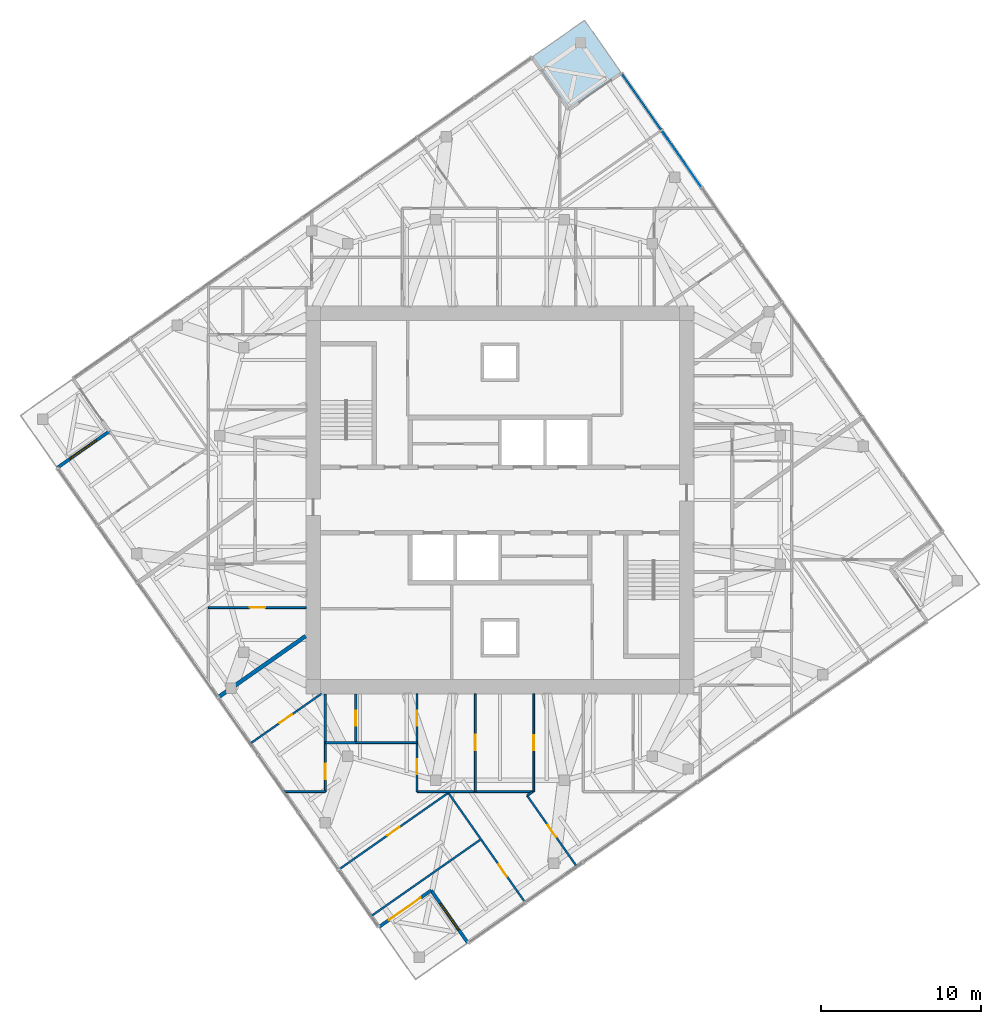
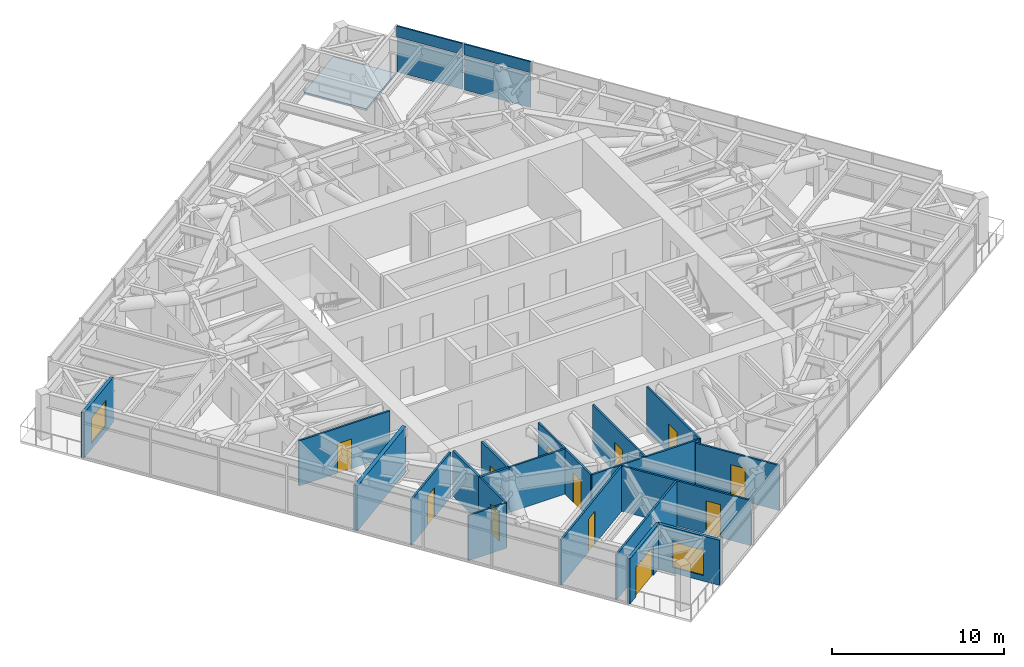
# One storey, part 9 of 15: 21 walls, 12 doors, 4 plates, 2 windows, 1 slab, 14 openings, 1 element without a shape of its own.
"""IFC4 building model written with IfcOpenShell, lengths in metres."""

from ifc_helpers import new_model, si_unit, direction, frame, frame_2d, origin, origin_2d, place, context, subcontext, project, spatial, polyline, rectangle, outline, extrude, material, layer, layer_set, type_object, element, fill, aggregate, save


model = new_model("IFC4")

# Units and contexts
model_context = context("Model", 3, precision=1e-05, world=origin(), true_north=direction((0.0, 1.0)))
body_context = subcontext(model_context, "Body", "Model", "MODEL_VIEW")
ifc_project = project(units=[si_unit("LENGTHUNIT", "METRE"), si_unit("AREAUNIT", "SQUARE_METRE"), si_unit("VOLUMEUNIT", "CUBIC_METRE"), si_unit("PLANEANGLEUNIT", "RADIAN"), si_unit("MASSUNIT", "GRAM", prefix="KILO")], contexts=[model_context])

# Site, building, storey
site_placement = place(None, origin())
site = spatial("IfcSite", under=ifc_project, at=site_placement, CompositionType="ELEMENT")
building_placement = place(site_placement, origin())
building = spatial("IfcBuilding", under=site, at=building_placement, Name="Torsade Residences", CompositionType="ELEMENT")
storey_placement = place(building_placement, frame((0.0, 0.0, 264.199951171875)))
storey = spatial("IfcBuildingStorey", under=building, at=storey_placement, Name="L73", CompositionType="ELEMENT", Elevation=264.199951171875)

# Curtain wall, plates
ifc_material_1 = material(Name="Aluminium and glass", Category="aluminium")
curtain_wall_type = type_object("IfcCurtainWallType", Name="FRITTED GLASS CURTAIN WALL HIGH ZONE", PredefinedType="NOTDEFINED", material=ifc_material_1)
curtain_wall_placement = place(storey_placement, origin())
curtain_wall = element("IfcCurtainWall", 1, at=curtain_wall_placement, inside=storey, type_object=curtain_wall_type, Name="Curtain wall L73 face 4", PredefinedType="NOTDEFINED")
ifc_material_2 = material(Name="Laminated glass", Category="glass")
ifc_layer_1 = layer(ifc_material_2, 0.031982421875)
ifc_layer_set_1 = layer_set([ifc_layer_1], Name="Laminated glass")
plate_type_1 = type_object("IfcPlateType", Name="FRITTED GLASS PANEL", PredefinedType="CURTAIN_PANEL", material=ifc_layer_set_1)
plate_1_placement = place(storey_placement, frame((51.33837890625, 51.291259765625, 0.1201171875), z_axis=(0.0, 0.0, 1.0), x_axis=(-0.573576457682, 0.819152029353, 0.0)))
plate_1 = element("IfcPlate", 2, at=plate_1_placement, type_object=plate_type_1, Name="Panel 7", PredefinedType="CURTAIN_PANEL", context=body_context, shape_type="SweptSolid", body=[
    extrude(rectangle(XDim=4.27490234375, YDim=0.031982421875, at=origin_2d()), origin(), (0.0, 0.0, 1.0), 2.3798828125),
])
plate_2_placement = place(storey_placement, frame((48.84326171875, 54.854736328125, 0.1201171875), z_axis=(0.0, 0.0, 1.0), x_axis=(-0.573576457682, 0.819152029353, 0.0)))
plate_2 = element("IfcPlate", 3, at=plate_2_placement, type_object=plate_type_1, Name="Panel 8", PredefinedType="CURTAIN_PANEL", context=body_context, shape_type="SweptSolid", body=[
    extrude(rectangle(XDim=4.22509765625, YDim=0.031982421875, at=origin_2d()), origin(), (0.0, 0.0, 1.0), 2.3798828125),
])
ifc_material_3 = material(Name="Aluminium composite spandrel panel", Category="aluminium")
ifc_layer_2 = layer(ifc_material_3, 0.10009765625)
ifc_layer_set_2 = layer_set([ifc_layer_2], Name="Aluminium composite spandrel panel")
plate_type_2 = type_object("IfcPlateType", Name="OPAQUE SPANDREL PANEL", PredefinedType="CURTAIN_PANEL", material=ifc_layer_set_2)
plate_3_placement = place(storey_placement, frame((51.33837890625, 51.291259765625, 2.6201171875), z_axis=(0.0, 0.0, 1.0), x_axis=(-0.573576457682, 0.819152029353, 0.0)))
plate_3 = element("IfcPlate", 4, at=plate_3_placement, type_object=plate_type_2, Name="Spandrel panel 7", PredefinedType="CURTAIN_PANEL", context=body_context, shape_type="SweptSolid", body=[
    extrude(rectangle(XDim=4.27490234375, YDim=0.10009765625, at=origin_2d()), origin(), (0.0, 0.0, 1.0), 0.780029296875),
])
plate_4_placement = place(storey_placement, frame((48.84326171875, 54.854736328125, 2.6201171875), z_axis=(0.0, 0.0, 1.0), x_axis=(-0.573576457682, 0.819152029353, 0.0)))
plate_4 = element("IfcPlate", 5, at=plate_4_placement, type_object=plate_type_2, Name="Spandrel panel 8", PredefinedType="CURTAIN_PANEL", context=body_context, shape_type="SweptSolid", body=[
    extrude(rectangle(XDim=4.22509765625, YDim=0.10009765625, at=origin_2d()), origin(), (0.0, 0.0, 1.0), 0.780029296875),
])
aggregate(curtain_wall, [plate_1, plate_3, plate_2, plate_4])

# Slab
ifc_material_4 = material(Name="Concrete 40 MPa", Category="concrete")
ifc_layer_3 = layer(ifc_material_4, 0.14990234375)
ifc_layer_set_3 = layer_set([ifc_layer_3], Name="Concrete 40 MPa")
slab_type = type_object("IfcSlabType", Name="TERRACE SLAB 150", PredefinedType="FLOOR", material=ifc_layer_set_3)
slab_placement = place(storey_placement, frame((0.0, 0.0, -0.14990234375)))
element("IfcSlab", 6, at=slab_placement, inside=storey, type_object=slab_type, Name="Corner terrace slab NE L73", PredefinedType="FLOOR", context=body_context, shape_type="SweptSolid", body=[
    extrude(outline(polyline([(44.297607421875, 54.372802734375), (47.57421875, 56.6669921875), (45.27978515625, 59.943603515625), (42.003173828125, 57.6494140625), (44.297607421875, 54.372802734375)])), origin(), (0.0, 0.0, 1.0), 0.14990234375),
])

# Wall, opening, door
ifc_material_5 = material(Name="Plasterboard on steel stud", Category="steel")
ifc_layer_4 = layer(ifc_material_5, 0.1201171875)
ifc_layer_set_4 = layer_set([ifc_layer_4], Name="Plasterboard on steel stud")
wall_type_1 = type_object("IfcWallType", Name="PARTITION 120", PredefinedType="PARTITIONING", material=ifc_layer_set_4)
wall_1_placement = place(storey_placement, frame((27.89990234375, 23.28564453125, 0.0), z_axis=(0.0, 0.0, 1.0), x_axis=(-1.0, 0.0, 0.0)))
wall_1 = element("IfcWall", 7, at=wall_1_placement, inside=storey, type_object=wall_type_1, Name="Partition L73", PredefinedType="PARTITIONING", context=body_context, shape_type="SweptSolid", body=[
    extrude(rectangle(XDim=6.099853515625, YDim=0.1201171875, at=frame_2d((3.0498046875, 0.0))), origin(), (0.0, 0.0, 1.0), 3.199951171875),
])
opening_1_placement = place(wall_1_placement, frame((2.570068359375, 0.0, 0.0)))
opening_1 = element("IfcOpeningElement", 8, at=opening_1_placement, cuts=wall_1, Name="Opening D05", PredefinedType="OPENING", context=body_context, shape_type="SweptSolid", body=[
    extrude(rectangle(XDim=0.9599609375, YDim=2.10009765625, at=frame_2d((0.47998046875, 1.050048828125))), frame((0.0, 0.070068359375, 0.0), z_axis=(0.0, -1.0, 0.0), x_axis=(1.0, 0.0, 0.0)), (0.0, 0.0, 1.0), 0.14013671875),
])
ifc_material_6 = material(Name="Hollow-core timber door in a steel cavity frame", Category="steel")
door_type_1 = type_object("IfcDoorType", Name="BATHROOM CAVITY SLIDING DOOR 960", OperationType="SLIDING_TO_LEFT", PredefinedType="DOOR", material=ifc_material_6)
door_1_placement = place(opening_1_placement, origin())
door_1 = element("IfcDoor", 9, at=door_1_placement, inside=storey, type_object=door_type_1, Name="Door Bathroom to Ensuite", OperationType="SLIDING_TO_LEFT", OverallHeight=2.10009765625, OverallWidth=0.9599609375, PredefinedType="DOOR", context=body_context, shape_type="SweptSolid", body=[
    extrude(rectangle(XDim=0.9599609375, YDim=2.10009765625, at=frame_2d((0.47998046875, 1.050048828125))), frame((0.0, 0.02490234375, 0.0), z_axis=(0.0, -1.0, 0.0), x_axis=(1.0, 0.0, 0.0)), (0.0, 0.0, 1.0), 0.050048828125),
])
fill(opening_1, door_1)

wall_2_placement = place(storey_placement, frame((24.43701171875, 14.811767578125, 0.0), z_axis=(0.0, 0.0, 1.0), x_axis=(0.819157353031, 0.573568854608, 0.0)))
wall_2 = element("IfcWall", 10, at=wall_2_placement, inside=storey, type_object=wall_type_1, Name="Partition L73", PredefinedType="PARTITIONING", context=body_context, shape_type="SweptSolid", body=[
    extrude(rectangle(XDim=5.384033203125, YDim=0.1201171875, at=frame_2d((2.69189453125, 0.0))), origin(), (0.0, 0.0, 1.0), 3.199951171875),
])
opening_2_placement = place(wall_2_placement, frame((2.19189453125, 0.0, 0.0)))
opening_2 = element("IfcOpeningElement", 11, at=opening_2_placement, cuts=wall_2, Name="Opening D05", PredefinedType="OPENING", context=body_context, shape_type="SweptSolid", body=[
    extrude(rectangle(XDim=0.9599609375, YDim=2.10009765625, at=frame_2d((0.47998046875, 1.050048828125))), frame((0.0, 0.070068359375, 0.0), z_axis=(0.0, -1.0, 0.0), x_axis=(1.0, 0.0, 0.0)), (0.0, 0.0, 1.0), 0.14013671875),
])
door_2_placement = place(opening_2_placement, origin())
door_2 = element("IfcDoor", 12, at=door_2_placement, inside=storey, type_object=door_type_1, Name="Door Bathroom to Dressing room", OperationType="SLIDING_TO_LEFT", OverallHeight=2.10009765625, OverallWidth=0.9599609375, PredefinedType="DOOR", context=body_context, shape_type="SweptSolid", body=[
    extrude(rectangle(XDim=0.9599609375, YDim=2.10009765625, at=frame_2d((0.47998046875, 1.050048828125))), frame((0.0, 0.02490234375, 0.0), z_axis=(0.0, -1.0, 0.0), x_axis=(1.0, 0.0, 0.0)), (0.0, 0.0, 1.0), 0.050048828125),
])
fill(opening_2, door_2)

wall_3_placement = place(storey_placement, frame((29.093505859375, 14.89990234375, 0.0), z_axis=(0.0, 0.0, 1.0), x_axis=(0.0, -1.0, 0.0)))
wall_3 = element("IfcWall", 13, at=wall_3_placement, inside=storey, type_object=wall_type_1, Name="Partition L73", PredefinedType="PARTITIONING", context=body_context, shape_type="SweptSolid", body=[
    extrude(rectangle(XDim=3.099853515625, YDim=0.1201171875, at=frame_2d((1.5498046875, 0.0))), origin(), (0.0, 0.0, 1.0), 3.199951171875),
])
opening_3_placement = place(wall_3_placement, frame((1.3701171875, 0.0, 0.0)))
opening_3 = element("IfcOpeningElement", 14, at=opening_3_placement, cuts=wall_3, Name="Opening D05", PredefinedType="OPENING", context=body_context, shape_type="SweptSolid", body=[
    extrude(rectangle(XDim=0.9599609375, YDim=2.10009765625, at=frame_2d((0.47998046875, 1.050048828125))), frame((0.0, 0.070068359375, 0.0), z_axis=(0.0, -1.0, 0.0), x_axis=(1.0, 0.0, 0.0)), (0.0, 0.0, 1.0), 0.14013671875),
])
door_3_placement = place(opening_3_placement, origin())
door_3 = element("IfcDoor", 15, at=door_3_placement, inside=storey, type_object=door_type_1, Name="Door Family room to Bathroom", OperationType="SLIDING_TO_LEFT", OverallHeight=2.10009765625, OverallWidth=0.9599609375, PredefinedType="DOOR", context=body_context, shape_type="SweptSolid", body=[
    extrude(rectangle(XDim=0.9599609375, YDim=2.10009765625, at=frame_2d((0.47998046875, 1.050048828125))), frame((0.0, 0.02490234375, 0.0), z_axis=(0.0, -1.0, 0.0), x_axis=(1.0, 0.0, 0.0)), (0.0, 0.0, 1.0), 0.050048828125),
])
fill(opening_3, door_3)

# Wall
wall_4_placement = place(storey_placement, frame((29.093505859375, 11.800048828125, 0.0), z_axis=(0.0, 0.0, 1.0), x_axis=(-1.0, 0.0, 0.0)))
element("IfcWall", 16, at=wall_4_placement, inside=storey, type_object=wall_type_1, Name="Partition L73", PredefinedType="PARTITIONING", context=body_context, shape_type="SweptSolid", body=[
    extrude(rectangle(XDim=2.547607421875, YDim=0.1201171875, at=frame_2d((1.27392578125, 0.0))), origin(), (0.0, 0.0, 1.0), 3.199951171875),
])

# Wall, openings, doors
wall_5_placement = place(storey_placement, frame((34.8193359375, 17.89990234375, 0.0), z_axis=(0.0, 0.0, 1.0), x_axis=(0.0, -1.0, 0.0)))
wall_5 = element("IfcWall", 17, at=wall_5_placement, inside=storey, type_object=wall_type_1, Name="Partition L73", PredefinedType="PARTITIONING", context=body_context, shape_type="SweptSolid", body=[
    extrude(rectangle(XDim=6.099853515625, YDim=0.1201171875, at=frame_2d((3.0498046875, 0.0))), origin(), (0.0, 0.0, 1.0), 3.199951171875),
])
opening_4_placement = place(wall_5_placement, frame((4.090087890625, 0.0, 0.0)))
opening_4 = element("IfcOpeningElement", 18, at=opening_4_placement, cuts=wall_5, Name="Opening D02L", PredefinedType="OPENING", context=body_context, shape_type="SweptSolid", body=[
    extrude(rectangle(XDim=0.919921875, YDim=2.10009765625, at=frame_2d((0.4599609375, 1.050048828125))), frame((0.0, 0.070068359375, 0.0), z_axis=(0.0, -1.0, 0.0), x_axis=(1.0, 0.0, 0.0)), (0.0, 0.0, 1.0), 0.14013671875),
])
opening_5_placement = place(wall_5_placement, frame((1.044921875, 0.0, 0.0)))
opening_5 = element("IfcOpeningElement", 19, at=opening_5_placement, cuts=wall_5, Name="Opening D05", PredefinedType="OPENING", context=body_context, shape_type="SweptSolid", body=[
    extrude(rectangle(XDim=0.9599609375, YDim=2.10009765625, at=frame_2d((0.47998046875, 1.050048828125))), frame((0.0, 0.070068359375, 0.0), z_axis=(0.0, -1.0, 0.0), x_axis=(1.0, 0.0, 0.0)), (0.0, 0.0, 1.0), 0.14013671875),
])
door_4_placement = place(opening_5_placement, origin())
door_4 = element("IfcDoor", 20, at=door_4_placement, inside=storey, type_object=door_type_1, Name="Door Dressing room 2 to WC", OperationType="SLIDING_TO_LEFT", OverallHeight=2.10009765625, OverallWidth=0.9599609375, PredefinedType="DOOR", context=body_context, shape_type="SweptSolid", body=[
    extrude(rectangle(XDim=0.9599609375, YDim=2.10009765625, at=frame_2d((0.47998046875, 1.050048828125))), frame((0.0, 0.02490234375, 0.0), z_axis=(0.0, -1.0, 0.0), x_axis=(1.0, 0.0, 0.0)), (0.0, 0.0, 1.0), 0.050048828125),
])
fill(opening_5, door_4)
ifc_material_7 = material(Name="Hollow-core timber door", Category="wood")
door_type_2 = type_object("IfcDoorType", Name="INTERNAL DOOR 920x2100", OperationType="NOTDEFINED", PredefinedType="DOOR", material=ifc_material_7)
door_5_placement = place(opening_4_placement, origin())
door_5 = element("IfcDoor", 21, at=door_5_placement, inside=storey, type_object=door_type_2, Name="Door Dressing room 2 to Family room", OperationType="SINGLE_SWING_RIGHT", OverallHeight=2.10009765625, OverallWidth=0.919921875, PredefinedType="DOOR", context=body_context, shape_type="SweptSolid", body=[
    extrude(rectangle(XDim=0.919921875, YDim=2.10009765625, at=frame_2d((0.4599609375, 1.050048828125))), frame((0.0, 0.02490234375, 0.0), z_axis=(0.0, -1.0, 0.0), x_axis=(1.0, 0.0, 0.0)), (0.0, 0.0, 1.0), 0.050048828125),
])
fill(opening_4, door_5)

# Wall
wall_6_placement = place(storey_placement, frame((34.8193359375, 14.85009765625, 0.0), z_axis=(0.0, 0.0, 1.0), x_axis=(-1.0, 0.0, 0.0)))
element("IfcWall", 22, at=wall_6_placement, inside=storey, type_object=wall_type_1, Name="Partition L73", PredefinedType="PARTITIONING", context=body_context, shape_type="SweptSolid", body=[
    extrude(rectangle(XDim=3.817138671875, YDim=0.1201171875, at=frame_2d((1.90869140625, 0.0))), origin(), (0.0, 0.0, 1.0), 3.199951171875),
])

# Wall, opening, door
wall_7_placement = place(storey_placement, frame((38.463623046875, 11.800048828125, 0.0), z_axis=(0.0, 0.0, 1.0), x_axis=(0.0, 1.0, 0.0)))
wall_7 = element("IfcWall", 23, at=wall_7_placement, inside=storey, type_object=wall_type_1, Name="Partition L73", PredefinedType="PARTITIONING", context=body_context, shape_type="SweptSolid", body=[
    extrude(rectangle(XDim=6.099853515625, YDim=0.1201171875, at=frame_2d((3.0498046875, 0.0))), origin(), (0.0, 0.0, 1.0), 3.199951171875),
])
opening_6_placement = place(wall_7_placement, frame((2.570068359375, 0.0, 0.0)))
opening_6 = element("IfcOpeningElement", 24, at=opening_6_placement, cuts=wall_7, Name="Opening D05", PredefinedType="OPENING", context=body_context, shape_type="SweptSolid", body=[
    extrude(rectangle(XDim=0.9599609375, YDim=2.10009765625, at=frame_2d((0.47998046875, 1.050048828125))), frame((0.0, 0.070068359375, 0.0), z_axis=(0.0, -1.0, 0.0), x_axis=(1.0, 0.0, 0.0)), (0.0, 0.0, 1.0), 0.14013671875),
])
door_6_placement = place(opening_6_placement, origin())
door_6 = element("IfcDoor", 25, at=door_6_placement, inside=storey, type_object=door_type_1, Name="Door Ensuite to Dressing room 2", OperationType="SLIDING_TO_LEFT", OverallHeight=2.10009765625, OverallWidth=0.9599609375, PredefinedType="DOOR", context=body_context, shape_type="SweptSolid", body=[
    extrude(rectangle(XDim=0.9599609375, YDim=2.10009765625, at=frame_2d((0.47998046875, 1.050048828125))), frame((0.0, 0.02490234375, 0.0), z_axis=(0.0, -1.0, 0.0), x_axis=(1.0, 0.0, 0.0)), (0.0, 0.0, 1.0), 0.050048828125),
])
fill(opening_6, door_6)

# Wall
wall_8_placement = place(storey_placement, frame((42.06201171875, 11.800048828125, 0.0), z_axis=(0.0, 0.0, 1.0), x_axis=(-1.0, 0.0, 0.0)))
element("IfcWall", 26, at=wall_8_placement, inside=storey, type_object=wall_type_1, Name="Partition L73", PredefinedType="PARTITIONING", context=body_context, shape_type="SweptSolid", body=[
    extrude(rectangle(XDim=7.24267578125, YDim=0.1201171875, at=frame_2d((3.621337890625, 0.0))), origin(), (0.0, 0.0, 1.0), 3.199951171875),
])

# Wall, opening, door
wall_9_placement = place(storey_placement, frame((42.107666015625, 17.89990234375, 0.0), z_axis=(0.0, 0.0, 1.0), x_axis=(0.0, -1.0, 0.0)))
wall_9 = element("IfcWall", 27, at=wall_9_placement, inside=storey, type_object=wall_type_1, Name="Partition L73", PredefinedType="PARTITIONING", context=body_context, shape_type="SweptSolid", body=[
    extrude(rectangle(XDim=6.099853515625, YDim=0.1201171875, at=frame_2d((3.0498046875, 0.0))), origin(), (0.0, 0.0, 1.0), 3.199951171875),
])
opening_7_placement = place(wall_9_placement, frame((2.570068359375, 0.0, 0.0)))
opening_7 = element("IfcOpeningElement", 28, at=opening_7_placement, cuts=wall_9, Name="Opening D05", PredefinedType="OPENING", context=body_context, shape_type="SweptSolid", body=[
    extrude(rectangle(XDim=0.9599609375, YDim=2.10009765625, at=frame_2d((0.47998046875, 1.050048828125))), frame((0.0, 0.070068359375, 0.0), z_axis=(0.0, -1.0, 0.0), x_axis=(1.0, 0.0, 0.0)), (0.0, 0.0, 1.0), 0.14013671875),
])
door_7_placement = place(opening_7_placement, origin())
door_7 = element("IfcDoor", 29, at=door_7_placement, inside=storey, type_object=door_type_1, Name="Door Media room to Ensuite", OperationType="SLIDING_TO_LEFT", OverallHeight=2.10009765625, OverallWidth=0.9599609375, PredefinedType="DOOR", context=body_context, shape_type="SweptSolid", body=[
    extrude(rectangle(XDim=0.9599609375, YDim=2.10009765625, at=frame_2d((0.47998046875, 1.050048828125))), frame((0.0, 0.02490234375, 0.0), z_axis=(0.0, -1.0, 0.0), x_axis=(1.0, 0.0, 0.0)), (0.0, 0.0, 1.0), 0.050048828125),
])
fill(opening_7, door_7)

wall_10_placement = place(storey_placement, frame((41.5576171875, 4.892822265625, 0.0), z_axis=(0.0, 0.0, 1.0), x_axis=(-0.573576357466, 0.819152099525, 0.0)))
wall_10 = element("IfcWall", 30, at=wall_10_placement, inside=storey, type_object=wall_type_1, Name="Partition L73", PredefinedType="PARTITIONING", context=body_context, shape_type="SweptSolid", body=[
    extrude(rectangle(XDim=8.3349609375, YDim=0.1201171875, at=frame_2d((4.16748046875, 0.0))), origin(), (0.0, 0.0, 1.0), 3.199951171875),
])
opening_8_placement = place(wall_10_placement, frame((1.94189453125, 0.0, 0.0)))
opening_8 = element("IfcOpeningElement", 31, at=opening_8_placement, cuts=wall_10, Name="Opening D02", PredefinedType="OPENING", context=body_context, shape_type="SweptSolid", body=[
    extrude(rectangle(XDim=0.919921875, YDim=2.340087890625, at=frame_2d((0.4599609375, 1.169921875))), frame((0.0, 0.070068359375, 0.0), z_axis=(0.0, -1.0, 0.0), x_axis=(1.0, 0.0, 0.0)), (0.0, 0.0, 1.0), 0.14013671875),
])
ifc_material_8 = material(Name="Hollow-core timber door", Category="wood")
door_type_3 = type_object("IfcDoorType", Name="INTERNAL DOOR 920x2340", OperationType="NOTDEFINED", PredefinedType="DOOR", material=ifc_material_8)
door_8_placement = place(opening_8_placement, origin())
door_8 = element("IfcDoor", 32, at=door_8_placement, inside=storey, type_object=door_type_3, Name="Door Bedroom 1 to Study 2", OperationType="SINGLE_SWING_RIGHT", OverallHeight=2.340087890625, OverallWidth=0.919921875, PredefinedType="DOOR", context=body_context, shape_type="SweptSolid", body=[
    extrude(rectangle(XDim=0.919921875, YDim=2.340087890625, at=frame_2d((0.4599609375, 1.169921875))), frame((0.0, 0.02490234375, 0.0), z_axis=(0.0, -1.0, 0.0), x_axis=(1.0, 0.0, 0.0)), (0.0, 0.0, 1.0), 0.050048828125),
])
fill(opening_8, door_8)

# Wall
wall_11_placement = place(storey_placement, frame((42.011962890625, 11.764892578125, 0.0), z_axis=(0.0, 0.0, 1.0), x_axis=(-0.819379381292, -0.573251628444, 0.0)))
element("IfcWall", 33, at=wall_11_placement, inside=storey, type_object=wall_type_1, Name="Partition L73", PredefinedType="PARTITIONING", context=body_context, shape_type="SweptSolid", body=[
    extrude(rectangle(XDim=0.388916015625, YDim=0.1201171875, at=frame_2d((0.1943359375, 0.0))), origin(), (0.0, 0.0, 1.0), 3.199951171875),
])

# Wall, opening, door
wall_12_placement = place(storey_placement, frame((41.693359375, 11.5419921875, 0.0), z_axis=(0.0, 0.0, 1.0), x_axis=(0.573560001964, -0.819163551525, 0.0)))
wall_12 = element("IfcWall", 34, at=wall_12_placement, inside=storey, type_object=wall_type_1, Name="Partition L73", PredefinedType="PARTITIONING", context=body_context, shape_type="SweptSolid", body=[
    extrude(rectangle(XDim=5.368896484375, YDim=0.1201171875, at=frame_2d((2.6845703125, 0.0))), origin(), (0.0, 0.0, 1.0), 3.199951171875),
])
opening_9_placement = place(wall_12_placement, frame((2.244384765625, 0.0, 0.0)))
opening_9 = element("IfcOpeningElement", 35, at=opening_9_placement, cuts=wall_12, Name="Opening D02", PredefinedType="OPENING", context=body_context, shape_type="SweptSolid", body=[
    extrude(rectangle(XDim=0.919921875, YDim=2.340087890625, at=frame_2d((0.4599609375, 1.169921875))), frame((0.0, 0.070068359375, 0.0), z_axis=(0.0, -1.0, 0.0), x_axis=(1.0, 0.0, 0.0)), (0.0, 0.0, 1.0), 0.14013671875),
])
door_9_placement = place(opening_9_placement, origin())
door_9 = element("IfcDoor", 36, at=door_9_placement, inside=storey, type_object=door_type_3, Name="Door Media room to Bedroom 1", OperationType="SINGLE_SWING_LEFT", OverallHeight=2.340087890625, OverallWidth=0.919921875, PredefinedType="DOOR", context=body_context, shape_type="SweptSolid", body=[
    extrude(rectangle(XDim=0.919921875, YDim=2.340087890625, at=frame_2d((0.4599609375, 1.169921875))), frame((0.0, 0.02490234375, 0.0), z_axis=(0.0, -1.0, 0.0), x_axis=(1.0, 0.0, 0.0)), (0.0, 0.0, 1.0), 0.050048828125),
])
fill(opening_9, door_9)

# Wall
wall_13_placement = place(storey_placement, frame((38.807861328125, 8.81982421875, 0.0), z_axis=(0.0, 0.0, 1.0), x_axis=(-0.819152099525, -0.573576357466, 0.0)))
element("IfcWall", 37, at=wall_13_placement, inside=storey, type_object=wall_type_1, Name="Partition L73", PredefinedType="PARTITIONING", context=body_context, shape_type="SweptSolid", body=[
    extrude(rectangle(XDim=8.3349609375, YDim=0.1201171875, at=frame_2d((4.16748046875, 0.0))), origin(), (0.0, 0.0, 1.0), 3.199951171875),
])

# Wall, opening, door
wall_14_placement = place(storey_placement, frame((29.94921875, 6.939697265625, 0.0), z_axis=(0.0, 0.0, 1.0), x_axis=(0.819152099525, 0.573576357466, 0.0)))
wall_14 = element("IfcWall", 38, at=wall_14_placement, inside=storey, type_object=wall_type_1, Name="Partition L73", PredefinedType="PARTITIONING", context=body_context, shape_type="SweptSolid", body=[
    extrude(rectangle(XDim=8.3349609375, YDim=0.1201171875, at=frame_2d((4.16748046875, 0.0))), origin(), (0.0, 0.0, 1.0), 3.199951171875),
])
opening_10_placement = place(wall_14_placement, frame((3.6875, 0.0, 0.0)))
opening_10 = element("IfcOpeningElement", 39, at=opening_10_placement, cuts=wall_14, Name="Opening D02", PredefinedType="OPENING", context=body_context, shape_type="SweptSolid", body=[
    extrude(rectangle(XDim=0.919921875, YDim=2.340087890625, at=frame_2d((0.4599609375, 1.169921875))), frame((0.0, 0.070068359375, 0.0), z_axis=(0.0, -1.0, 0.0), x_axis=(1.0, 0.0, 0.0)), (0.0, 0.0, 1.0), 0.14013671875),
])
door_10_placement = place(opening_10_placement, origin())
door_10 = element("IfcDoor", 40, at=door_10_placement, inside=storey, type_object=door_type_3, Name="Door Family room to Bedroom 2", OperationType="SINGLE_SWING_RIGHT", OverallHeight=2.340087890625, OverallWidth=0.919921875, PredefinedType="DOOR", context=body_context, shape_type="SweptSolid", body=[
    extrude(rectangle(XDim=0.919921875, YDim=2.340087890625, at=frame_2d((0.4599609375, 1.169921875))), frame((0.0, 0.02490234375, 0.0), z_axis=(0.0, -1.0, 0.0), x_axis=(1.0, 0.0, 0.0)), (0.0, 0.0, 1.0), 0.050048828125),
])
fill(opening_10, door_10)

# Walls
ifc_material_9 = material(Name="Masonry-lined stud party wall", Category="masonry")
ifc_layer_5 = layer(ifc_material_9, 0.25)
ifc_layer_set_5 = layer_set([ifc_layer_5], Name="Masonry-lined stud party wall")
wall_type_2 = type_object("IfcWallType", Name="PARTY WALL 250", PredefinedType="PARTITIONING", material=ifc_layer_set_5)
wall_15_placement = place(storey_placement, frame((22.38818359375, 17.668212890625, 0.0), z_axis=(0.0, 0.0, 1.0), x_axis=(0.819161528122, 0.573562891796, 0.0)))
element("IfcWall", 41, at=wall_15_placement, inside=storey, type_object=wall_type_2, Name="Party wall L73", PredefinedType="PARTITIONING", context=body_context, shape_type="SweptSolid", body=[
    extrude(rectangle(XDim=6.68115234375, YDim=0.25, at=frame_2d((3.340576171875, 0.0))), origin(), (0.0, 0.0, 1.0), 3.199951171875),
])
ifc_material_10 = material(Name="Reinforced blockwork", Category="masonry")
ifc_layer_6 = layer(ifc_material_10, 0.14990234375)
ifc_layer_set_6 = layer_set([ifc_layer_6], Name="Reinforced blockwork")
wall_type_3 = type_object("IfcWallType", Name="SERVICE ROOM WALL 150", PredefinedType="SOLIDWALL", material=ifc_layer_set_6)
wall_16_placement = place(storey_placement, frame((29.093505859375, 17.89990234375, 0.0), z_axis=(0.0, 0.0, 1.0), x_axis=(0.0, -1.0, 0.0)))
element("IfcWall", 42, at=wall_16_placement, inside=storey, type_object=wall_type_3, Name="Service room wall L73", PredefinedType="SOLIDWALL", context=body_context, shape_type="SweptSolid", body=[
    extrude(rectangle(XDim=3.0, YDim=0.14990234375, at=frame_2d((1.5, 0.0))), origin(), (0.0, 0.0, 1.0), 3.199951171875),
])

# Wall, opening, door
wall_17_placement = place(storey_placement, frame((31.002197265625, 14.85009765625, 0.0), z_axis=(0.0, 0.0, 1.0), x_axis=(0.0, 1.0, 0.0)))
wall_17 = element("IfcWall", 43, at=wall_17_placement, inside=storey, type_object=wall_type_3, Name="Service room wall L73", PredefinedType="SOLIDWALL", context=body_context, shape_type="SweptSolid", body=[
    extrude(rectangle(XDim=3.0498046875, YDim=0.14990234375, at=frame_2d((1.52490234375, 0.0))), origin(), (0.0, 0.0, 1.0), 3.199951171875),
])
opening_11_placement = place(wall_17_placement, frame((1.044921875, 0.0, 0.0)))
opening_11 = element("IfcOpeningElement", 44, at=opening_11_placement, cuts=wall_17, Name="Opening D05", PredefinedType="OPENING", context=body_context, shape_type="SweptSolid", body=[
    extrude(rectangle(XDim=0.9599609375, YDim=2.10009765625, at=frame_2d((0.47998046875, 1.050048828125))), frame((0.0, 0.0849609375, 0.0), z_axis=(0.0, -1.0, 0.0), x_axis=(1.0, 0.0, 0.0)), (0.0, 0.0, 1.0), 0.169921875),
])
door_11_placement = place(opening_11_placement, origin())
door_11 = element("IfcDoor", 45, at=door_11_placement, inside=storey, type_object=door_type_1, Name="Door WC to Linen store", OperationType="SLIDING_TO_LEFT", OverallHeight=2.10009765625, OverallWidth=0.9599609375, PredefinedType="DOOR", context=body_context, shape_type="SweptSolid", body=[
    extrude(rectangle(XDim=0.9599609375, YDim=2.10009765625, at=frame_2d((0.47998046875, 1.050048828125))), frame((0.0, 0.02490234375, 0.0), z_axis=(0.0, -1.0, 0.0), x_axis=(1.0, 0.0, 0.0)), (0.0, 0.0, 1.0), 0.050048828125),
])
fill(opening_11, door_11)

# Wall
wall_18_placement = place(storey_placement, frame((29.093505859375, 14.85009765625, 0.0), z_axis=(0.0, 0.0, 1.0), x_axis=(1.0, 0.0, 0.0)))
element("IfcWall", 46, at=wall_18_placement, inside=storey, type_object=wall_type_3, Name="Service room wall L73", PredefinedType="SOLIDWALL", context=body_context, shape_type="SweptSolid", body=[
    extrude(rectangle(XDim=1.90869140625, YDim=0.14990234375, at=frame_2d((0.954345703125, 0.0))), origin(), (0.0, 0.0, 1.0), 3.199951171875),
])

# Wall, opening, window
ifc_material_11 = material(Name="Stone-faced precast concrete 40 MPa panel", Category="masonry")
ifc_layer_7 = layer(ifc_material_11, 0.199951171875)
ifc_layer_set_7 = layer_set([ifc_layer_7], Name="Stone-faced precast concrete 40 MPa panel")
wall_type_4 = type_object("IfcWallType", Name="TERRACE WALL 200", PredefinedType="SOLIDWALL", material=ifc_layer_set_7)
wall_19_placement = place(storey_placement, frame((15.627197265625, 34.297607421875, 0.0), z_axis=(0.0, 0.0, 1.0), x_axis=(-0.819137286189, -0.573597512525, 0.0)))
wall_19 = element("IfcWall", 47, at=wall_19_placement, inside=storey, type_object=wall_type_4, Name="Terrace wall L73 9", PredefinedType="SOLIDWALL", context=body_context, shape_type="SweptSolid", body=[
    extrude(rectangle(XDim=4.0, YDim=0.199951171875, at=frame_2d((2.0, 0.0))), origin(), (0.0, 0.0, 1.0), 3.199951171875),
])
opening_12_placement = place(wall_19_placement, frame((1.0, 0.0, 0.39990234375)))
opening_12 = element("IfcOpeningElement", 48, at=opening_12_placement, cuts=wall_19, Name="Opening W1B", PredefinedType="OPENING", context=body_context, shape_type="SweptSolid", body=[
    extrude(rectangle(XDim=2.0, YDim=1.800048828125, at=frame_2d((1.0, 0.89990234375))), frame((0.0, 0.10986328125, 0.0), z_axis=(0.0, -1.0, 0.0), x_axis=(1.0, 0.0, 0.0)), (0.0, 0.0, 1.0), 0.219970703125),
])
ifc_material_12 = material(Name="Aluminium-framed glass window", Category="aluminium")
window_type = type_object("IfcWindowType", Name="TERRACE WINDOW 2000x1800", PartitioningType="SINGLE_PANEL", PredefinedType="WINDOW", material=ifc_material_12)
window_1_placement = place(opening_12_placement, origin())
window_1 = element("IfcWindow", 49, at=window_1_placement, inside=storey, type_object=window_type, Name="Terrace window L73 9", OverallHeight=1.800048828125, OverallWidth=2.0, PartitioningType="SINGLE_PANEL", PredefinedType="WINDOW", context=body_context, shape_type="SweptSolid", body=[
    extrude(rectangle(XDim=2.0, YDim=1.800048828125, at=frame_2d((1.0, 0.89990234375))), frame((0.0, 0.030029296875, 0.0), z_axis=(0.0, -1.0, 0.0), x_axis=(1.0, 0.0, 0.0)), (0.0, 0.0, 1.0), 0.06005859375),
])
fill(opening_12, window_1)

# Wall, opening, door
wall_20_placement = place(storey_placement, frame((32.42578125, 3.3330078125, 0.0), z_axis=(0.0, 0.0, 1.0), x_axis=(0.819165963305, 0.573556557423, 0.0)))
wall_20 = element("IfcWall", 50, at=wall_20_placement, inside=storey, type_object=wall_type_4, Name="Terrace wall L73 11", PredefinedType="SOLIDWALL", context=body_context, shape_type="SweptSolid", body=[
    extrude(rectangle(XDim=4.0, YDim=0.199951171875, at=frame_2d((2.0, 0.0))), origin(), (0.0, 0.0, 1.0), 3.199951171875),
])
opening_13_placement = place(wall_20_placement, frame((0.800048828125, 0.0, 0.0)))
opening_13 = element("IfcOpeningElement", 51, at=opening_13_placement, cuts=wall_20, Name="Opening D10A", PredefinedType="OPENING", context=body_context, shape_type="SweptSolid", body=[
    extrude(rectangle(XDim=2.39990234375, YDim=2.10009765625, at=frame_2d((1.199951171875, 1.050048828125))), frame((0.0, 0.10986328125, 0.0), z_axis=(0.0, -1.0, 0.0), x_axis=(1.0, 0.0, 0.0)), (0.0, 0.0, 1.0), 0.219970703125),
])
ifc_material_13 = material(Name="Aluminium-framed glass door", Category="aluminium")
door_type_4 = type_object("IfcDoorType", Name="TERRACE SLIDING DOOR 2400x2100", OperationType="SLIDING_TO_LEFT", PredefinedType="DOOR", material=ifc_material_13)
door_12_placement = place(opening_13_placement, origin())
door_12 = element("IfcDoor", 52, at=door_12_placement, inside=storey, type_object=door_type_4, Name="Terrace door L73 11", OperationType="SLIDING_TO_LEFT", OverallHeight=2.10009765625, OverallWidth=2.39990234375, PredefinedType="DOOR", context=body_context, shape_type="SweptSolid", body=[
    extrude(rectangle(XDim=2.39990234375, YDim=2.10009765625, at=frame_2d((1.199951171875, 1.050048828125))), frame((0.0, 0.02490234375, 0.0), z_axis=(0.0, -1.0, 0.0), x_axis=(1.0, 0.0, 0.0)), (0.0, 0.0, 1.0), 0.050048828125),
])
fill(opening_13, door_12)

# Wall, opening, window
wall_21_placement = place(storey_placement, frame((35.702392578125, 5.627197265625, 0.0), z_axis=(0.0, 0.0, 1.0), x_axis=(0.573597512525, -0.819137286189, 0.0)))
wall_21 = element("IfcWall", 53, at=wall_21_placement, inside=storey, type_object=wall_type_4, Name="Terrace wall L73 12", PredefinedType="SOLIDWALL", context=body_context, shape_type="SweptSolid", body=[
    extrude(rectangle(XDim=4.0, YDim=0.199951171875, at=frame_2d((2.0, 0.0))), origin(), (0.0, 0.0, 1.0), 3.199951171875),
])
opening_14_placement = place(wall_21_placement, frame((1.0, 0.0, 0.39990234375)))
opening_14 = element("IfcOpeningElement", 54, at=opening_14_placement, cuts=wall_21, Name="Opening W1B", PredefinedType="OPENING", context=body_context, shape_type="SweptSolid", body=[
    extrude(rectangle(XDim=2.0, YDim=1.800048828125, at=frame_2d((1.0, 0.89990234375))), frame((0.0, 0.10986328125, 0.0), z_axis=(0.0, -1.0, 0.0), x_axis=(1.0, 0.0, 0.0)), (0.0, 0.0, 1.0), 0.219970703125),
])
window_2_placement = place(opening_14_placement, origin())
window_2 = element("IfcWindow", 55, at=window_2_placement, inside=storey, type_object=window_type, Name="Terrace window L73 12", OverallHeight=1.800048828125, OverallWidth=2.0, PartitioningType="SINGLE_PANEL", PredefinedType="WINDOW", context=body_context, shape_type="SweptSolid", body=[
    extrude(rectangle(XDim=2.0, YDim=1.800048828125, at=frame_2d((1.0, 0.89990234375))), frame((0.0, 0.030029296875, 0.0), z_axis=(0.0, -1.0, 0.0), x_axis=(1.0, 0.0, 0.0)), (0.0, 0.0, 1.0), 0.06005859375),
])
fill(opening_14, window_2)

save(model, "model.ifc")
